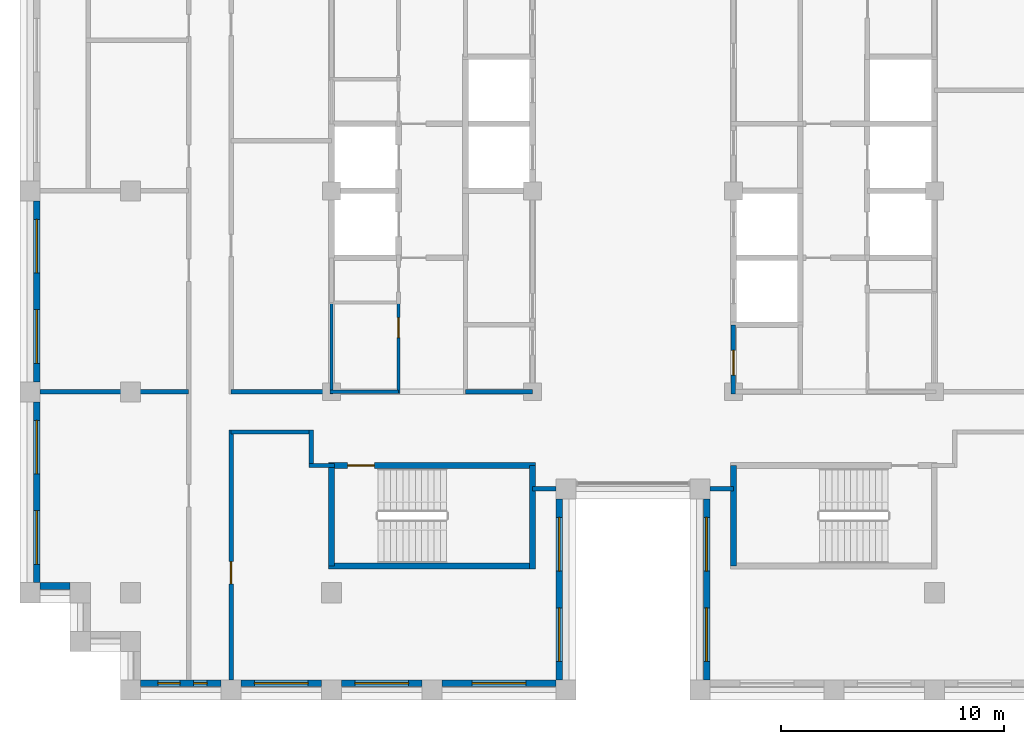
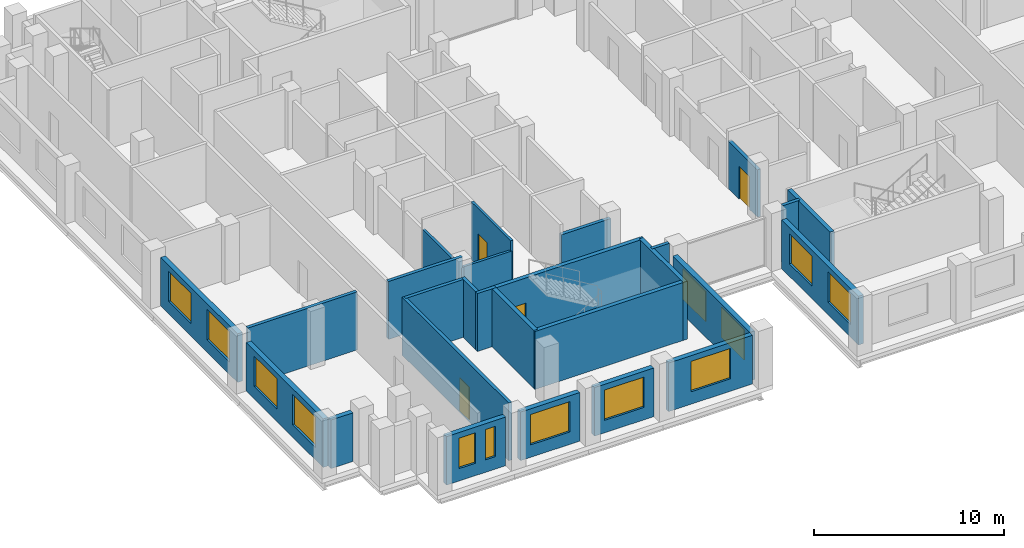
# One storey, part 6 of 13: 27 walls, 13 windows, 4 doors, 17 openings.
"""IFC4 building model written with IfcOpenShell, lengths in metres."""

from ifc_helpers import new_model, si_unit, direction, frame, frame_2d, origin, place, context, subcontext, project, spatial, rectangle, extrude, material, layer, layer_set, type_object, element, fill, save


model = new_model("IFC4")

# Units and contexts
model_context = context("Model", 3, precision=1e-05, world=origin(), true_north=direction((0.0, 1.0)))
body_context = subcontext(model_context, "Body", "Model", "MODEL_VIEW")
ifc_project = project(units=[si_unit("LENGTHUNIT", "METRE"), si_unit("AREAUNIT", "SQUARE_METRE"), si_unit("VOLUMEUNIT", "CUBIC_METRE"), si_unit("PLANEANGLEUNIT", "RADIAN"), si_unit("MASSUNIT", "GRAM", prefix="KILO")], contexts=[model_context])

# Site, building, storey
site_placement = place(None, origin())
site = spatial("IfcSite", under=ifc_project, at=site_placement, CompositionType="ELEMENT")
building_placement = place(site_placement, origin())
building = spatial("IfcBuilding", under=site, at=building_placement, Name="Corbelhall Arena Tower", CompositionType="ELEMENT")
storey_placement = place(building_placement, frame((0.0, 0.0, 250.0)))
storey = spatial("IfcBuildingStorey", under=building, at=storey_placement, Name="L53", CompositionType="ELEMENT", Elevation=250.0)

# Wall, openings, windows
ifc_material_1 = material(Name="Precast concrete C40/50 with granite facing", Category="masonry")
ifc_layer_1 = layer(ifc_material_1, 0.300048828125)
ifc_layer_set_1 = layer_set([ifc_layer_1], Name="EV-IW1 Infill panel 300")
wall_type_1 = type_object("IfcWallType", Name="EV-IW1 Infill panel 300", PredefinedType="SOLIDWALL", material=ifc_layer_set_1)
wall_1_placement = place(storey_placement, frame((-26.699951171875, -0.449951171875, 0.0), z_axis=(0.0, 0.0, 1.0), x_axis=(0.0, -1.0, 0.0)))
wall_1 = element("IfcWall", 1, at=wall_1_placement, inside=storey, type_object=wall_type_1, Name="Infill panel IW1", PredefinedType="SOLIDWALL", context=body_context, shape_type="SweptSolid", body=[
    extrude(rectangle(XDim=8.10009765625, YDim=0.300048828125, at=frame_2d((4.050048828125, 0.0))), origin(), (0.0, 0.0, 1.0), 3.1201171875),
])
opening_1_placement = place(wall_1_placement, frame((0.824951171875, 0.0, 0.800048828125)))
opening_1 = element("IfcOpeningElement", 2, at=opening_1_placement, cuts=wall_1, Name="Opening WN1", PredefinedType="OPENING", context=body_context, shape_type="SweptSolid", body=[
    extrude(rectangle(XDim=2.39990234375, YDim=1.949951171875, at=frame_2d((1.199951171875, 0.97509765625))), frame((0.0, 0.14990234375, 0.0), z_axis=(0.0, -1.0, 0.0), x_axis=(1.0, 0.0, 0.0)), (0.0, 0.0, 1.0), 0.300048828125),
])
opening_2_placement = place(wall_1_placement, frame((4.875, 0.0, 0.800048828125)))
opening_2 = element("IfcOpeningElement", 3, at=opening_2_placement, cuts=wall_1, Name="Opening WN1", PredefinedType="OPENING", context=body_context, shape_type="SweptSolid", body=[
    extrude(rectangle(XDim=2.39990234375, YDim=1.949951171875, at=frame_2d((1.199951171875, 0.97509765625))), frame((0.0, 0.14990234375, 0.0), z_axis=(0.0, -1.0, 0.0), x_axis=(1.0, 0.0, 0.0)), (0.0, 0.0, 1.0), 0.300048828125),
])
ifc_material_2 = material(Name="Aluminium black anodised", Category="aluminium")
window_type_1 = type_object("IfcWindowType", Name="EV-WN1 Office window", PartitioningType="SINGLE_PANEL", PredefinedType="WINDOW", material=ifc_material_2)
window_1_placement = place(opening_1_placement, origin())
window_1 = element("IfcWindow", 4, at=window_1_placement, inside=storey, type_object=window_type_1, Name="Window WN1", OverallHeight=1.949951171875, OverallWidth=2.39990234375, PartitioningType="SINGLE_PANEL", PredefinedType="WINDOW", context=body_context, shape_type="SweptSolid", body=[
    extrude(rectangle(XDim=2.39990234375, YDim=1.949951171875, at=frame_2d((1.199951171875, 0.97509765625))), frame((0.0, 0.030029296875, 0.0), z_axis=(0.0, -1.0, 0.0), x_axis=(1.0, 0.0, 0.0)), (0.0, 0.0, 1.0), 0.06005859375),
])
fill(opening_1, window_1)
window_2_placement = place(opening_2_placement, origin())
window_2 = element("IfcWindow", 5, at=window_2_placement, inside=storey, type_object=window_type_1, Name="Window WN1", OverallHeight=1.949951171875, OverallWidth=2.39990234375, PartitioningType="SINGLE_PANEL", PredefinedType="WINDOW", context=body_context, shape_type="SweptSolid", body=[
    extrude(rectangle(XDim=2.39990234375, YDim=1.949951171875, at=frame_2d((1.199951171875, 0.97509765625))), frame((0.0, 0.030029296875, 0.0), z_axis=(0.0, -1.0, 0.0), x_axis=(1.0, 0.0, 0.0)), (0.0, 0.0, 1.0), 0.06005859375),
])
fill(opening_2, window_2)

wall_2_placement = place(storey_placement, frame((-26.699951171875, -9.449951171875, 0.0), z_axis=(0.0, 0.0, 1.0), x_axis=(0.0, -1.0, 0.0)))
wall_2 = element("IfcWall", 6, at=wall_2_placement, inside=storey, type_object=wall_type_1, Name="Infill panel IW1", PredefinedType="SOLIDWALL", context=body_context, shape_type="SweptSolid", body=[
    extrude(rectangle(XDim=8.10009765625, YDim=0.300048828125, at=frame_2d((4.050048828125, 0.0))), origin(), (0.0, 0.0, 1.0), 3.1201171875),
])
opening_3_placement = place(wall_2_placement, frame((0.824951171875, 0.0, 0.800048828125)))
opening_3 = element("IfcOpeningElement", 7, at=opening_3_placement, cuts=wall_2, Name="Opening WN1", PredefinedType="OPENING", context=body_context, shape_type="SweptSolid", body=[
    extrude(rectangle(XDim=2.39990234375, YDim=1.949951171875, at=frame_2d((1.199951171875, 0.97509765625))), frame((0.0, 0.14990234375, 0.0), z_axis=(0.0, -1.0, 0.0), x_axis=(1.0, 0.0, 0.0)), (0.0, 0.0, 1.0), 0.300048828125),
])
opening_4_placement = place(wall_2_placement, frame((4.875, 0.0, 0.800048828125)))
opening_4 = element("IfcOpeningElement", 8, at=opening_4_placement, cuts=wall_2, Name="Opening WN1", PredefinedType="OPENING", context=body_context, shape_type="SweptSolid", body=[
    extrude(rectangle(XDim=2.39990234375, YDim=1.949951171875, at=frame_2d((1.199951171875, 0.97509765625))), frame((0.0, 0.14990234375, 0.0), z_axis=(0.0, -1.0, 0.0), x_axis=(1.0, 0.0, 0.0)), (0.0, 0.0, 1.0), 0.300048828125),
])
window_3_placement = place(opening_3_placement, origin())
window_3 = element("IfcWindow", 9, at=window_3_placement, inside=storey, type_object=window_type_1, Name="Window WN1", OverallHeight=1.949951171875, OverallWidth=2.39990234375, PartitioningType="SINGLE_PANEL", PredefinedType="WINDOW", context=body_context, shape_type="SweptSolid", body=[
    extrude(rectangle(XDim=2.39990234375, YDim=1.949951171875, at=frame_2d((1.199951171875, 0.97509765625))), frame((0.0, 0.030029296875, 0.0), z_axis=(0.0, -1.0, 0.0), x_axis=(1.0, 0.0, 0.0)), (0.0, 0.0, 1.0), 0.06005859375),
])
fill(opening_3, window_3)
window_4_placement = place(opening_4_placement, origin())
window_4 = element("IfcWindow", 10, at=window_4_placement, inside=storey, type_object=window_type_1, Name="Window WN1", OverallHeight=1.949951171875, OverallWidth=2.39990234375, PartitioningType="SINGLE_PANEL", PredefinedType="WINDOW", context=body_context, shape_type="SweptSolid", body=[
    extrude(rectangle(XDim=2.39990234375, YDim=1.949951171875, at=frame_2d((1.199951171875, 0.97509765625))), frame((0.0, 0.030029296875, 0.0), z_axis=(0.0, -1.0, 0.0), x_axis=(1.0, 0.0, 0.0)), (0.0, 0.0, 1.0), 0.06005859375),
])
fill(opening_4, window_4)

# Wall
wall_3_placement = place(storey_placement, frame((-26.550048828125, -17.699951171875, 0.0), z_axis=(0.0, 0.0, 1.0), x_axis=(1.0, 0.0, 0.0)))
element("IfcWall", 11, at=wall_3_placement, inside=storey, type_object=wall_type_1, Name="Infill panel IW1", PredefinedType="SOLIDWALL", context=body_context, shape_type="SweptSolid", body=[
    extrude(rectangle(XDim=1.35009765625, YDim=0.300048828125, at=frame_2d((0.675048828125, 0.0))), origin(), (0.0, 0.0, 1.0), 3.1201171875),
])

# Wall, openings, windows
wall_4_placement = place(storey_placement, frame((-22.050048828125, -22.050048828125, 0.0), z_axis=(0.0, 0.0, 1.0), x_axis=(1.0, 0.0, 0.0)))
wall_4 = element("IfcWall", 12, at=wall_4_placement, inside=storey, type_object=wall_type_1, Name="Infill panel IW1", PredefinedType="SOLIDWALL", context=body_context, shape_type="SweptSolid", body=[
    extrude(rectangle(XDim=3.60009765625, YDim=0.300048828125, at=frame_2d((1.800048828125, 0.0))), origin(), (0.0, 0.0, 1.0), 3.1201171875),
])
opening_5_placement = place(wall_4_placement, frame((0.77490234375, 0.0, 0.800048828125)))
opening_5 = element("IfcOpeningElement", 13, at=opening_5_placement, cuts=wall_4, Name="Opening WN6", PredefinedType="OPENING", context=body_context, shape_type="SweptSolid", body=[
    extrude(rectangle(XDim=1.0, YDim=1.949951171875, at=frame_2d((0.5, 0.97509765625))), frame((0.0, 0.14990234375, 0.0), z_axis=(0.0, -1.0, 0.0), x_axis=(1.0, 0.0, 0.0)), (0.0, 0.0, 1.0), 0.300048828125),
])
opening_6_placement = place(wall_4_placement, frame((2.375, 0.0, 0.800048828125)))
opening_6 = element("IfcOpeningElement", 14, at=opening_6_placement, cuts=wall_4, Name="Opening WN5", PredefinedType="OPENING", context=body_context, shape_type="SweptSolid", body=[
    extrude(rectangle(XDim=0.60009765625, YDim=1.949951171875, at=frame_2d((0.300048828125, 0.97509765625))), frame((0.0, 0.14990234375, 0.0), z_axis=(0.0, -1.0, 0.0), x_axis=(1.0, 0.0, 0.0)), (0.0, 0.0, 1.0), 0.300048828125),
])
window_type_2 = type_object("IfcWindowType", Name="EV-WN5 Office window 600", PartitioningType="SINGLE_PANEL", PredefinedType="WINDOW", material=ifc_material_2)
window_5_placement = place(opening_6_placement, origin())
window_5 = element("IfcWindow", 15, at=window_5_placement, inside=storey, type_object=window_type_2, Name="Window WN5", OverallHeight=1.949951171875, OverallWidth=0.60009765625, PartitioningType="SINGLE_PANEL", PredefinedType="WINDOW", context=body_context, shape_type="SweptSolid", body=[
    extrude(rectangle(XDim=0.60009765625, YDim=1.949951171875, at=frame_2d((0.300048828125, 0.97509765625))), frame((0.0, 0.030029296875, 0.0), z_axis=(0.0, -1.0, 0.0), x_axis=(1.0, 0.0, 0.0)), (0.0, 0.0, 1.0), 0.06005859375),
])
fill(opening_6, window_5)
window_type_3 = type_object("IfcWindowType", Name="EV-WN6 Office window 1000", PartitioningType="SINGLE_PANEL", PredefinedType="WINDOW", material=ifc_material_2)
window_6_placement = place(opening_5_placement, origin())
window_6 = element("IfcWindow", 16, at=window_6_placement, inside=storey, type_object=window_type_3, Name="Window WN6", OverallHeight=1.949951171875, OverallWidth=1.0, PartitioningType="SINGLE_PANEL", PredefinedType="WINDOW", context=body_context, shape_type="SweptSolid", body=[
    extrude(rectangle(XDim=1.0, YDim=1.949951171875, at=frame_2d((0.5, 0.97509765625))), frame((0.0, 0.030029296875, 0.0), z_axis=(0.0, -1.0, 0.0), x_axis=(1.0, 0.0, 0.0)), (0.0, 0.0, 1.0), 0.06005859375),
])
fill(opening_5, window_6)

# Wall, opening, window
wall_5_placement = place(storey_placement, frame((-17.550048828125, -22.050048828125, 0.0), z_axis=(0.0, 0.0, 1.0), x_axis=(1.0, 0.0, 0.0)))
wall_5 = element("IfcWall", 17, at=wall_5_placement, inside=storey, type_object=wall_type_1, Name="Infill panel IW1", PredefinedType="SOLIDWALL", context=body_context, shape_type="SweptSolid", body=[
    extrude(rectangle(XDim=3.60009765625, YDim=0.300048828125, at=frame_2d((1.800048828125, 0.0))), origin(), (0.0, 0.0, 1.0), 3.1201171875),
])
opening_7_placement = place(wall_5_placement, frame((0.60009765625, 0.0, 0.800048828125)))
opening_7 = element("IfcOpeningElement", 18, at=opening_7_placement, cuts=wall_5, Name="Opening WN1", PredefinedType="OPENING", context=body_context, shape_type="SweptSolid", body=[
    extrude(rectangle(XDim=2.39990234375, YDim=1.949951171875, at=frame_2d((1.199951171875, 0.97509765625))), frame((0.0, 0.14990234375, 0.0), z_axis=(0.0, -1.0, 0.0), x_axis=(1.0, 0.0, 0.0)), (0.0, 0.0, 1.0), 0.300048828125),
])
window_7_placement = place(opening_7_placement, origin())
window_7 = element("IfcWindow", 19, at=window_7_placement, inside=storey, type_object=window_type_1, Name="Window WN1", OverallHeight=1.949951171875, OverallWidth=2.39990234375, PartitioningType="SINGLE_PANEL", PredefinedType="WINDOW", context=body_context, shape_type="SweptSolid", body=[
    extrude(rectangle(XDim=2.39990234375, YDim=1.949951171875, at=frame_2d((1.199951171875, 0.97509765625))), frame((0.0, 0.030029296875, 0.0), z_axis=(0.0, -1.0, 0.0), x_axis=(1.0, 0.0, 0.0)), (0.0, 0.0, 1.0), 0.06005859375),
])
fill(opening_7, window_7)

wall_6_placement = place(storey_placement, frame((-13.050048828125, -22.050048828125, 0.0), z_axis=(0.0, 0.0, 1.0), x_axis=(1.0, 0.0, 0.0)))
wall_6 = element("IfcWall", 20, at=wall_6_placement, inside=storey, type_object=wall_type_1, Name="Infill panel IW1", PredefinedType="SOLIDWALL", context=body_context, shape_type="SweptSolid", body=[
    extrude(rectangle(XDim=3.60009765625, YDim=0.300048828125, at=frame_2d((1.800048828125, 0.0))), origin(), (0.0, 0.0, 1.0), 3.1201171875),
])
opening_8_placement = place(wall_6_placement, frame((0.60009765625, 0.0, 0.800048828125)))
opening_8 = element("IfcOpeningElement", 21, at=opening_8_placement, cuts=wall_6, Name="Opening WN1", PredefinedType="OPENING", context=body_context, shape_type="SweptSolid", body=[
    extrude(rectangle(XDim=2.39990234375, YDim=1.949951171875, at=frame_2d((1.199951171875, 0.97509765625))), frame((0.0, 0.14990234375, 0.0), z_axis=(0.0, -1.0, 0.0), x_axis=(1.0, 0.0, 0.0)), (0.0, 0.0, 1.0), 0.300048828125),
])
window_8_placement = place(opening_8_placement, origin())
window_8 = element("IfcWindow", 22, at=window_8_placement, inside=storey, type_object=window_type_1, Name="Window WN1", OverallHeight=1.949951171875, OverallWidth=2.39990234375, PartitioningType="SINGLE_PANEL", PredefinedType="WINDOW", context=body_context, shape_type="SweptSolid", body=[
    extrude(rectangle(XDim=2.39990234375, YDim=1.949951171875, at=frame_2d((1.199951171875, 0.97509765625))), frame((0.0, 0.030029296875, 0.0), z_axis=(0.0, -1.0, 0.0), x_axis=(1.0, 0.0, 0.0)), (0.0, 0.0, 1.0), 0.06005859375),
])
fill(opening_8, window_8)

wall_7_placement = place(storey_placement, frame((-8.550048828125, -22.050048828125, 0.0), z_axis=(0.0, 0.0, 1.0), x_axis=(1.0, 0.0, 0.0)))
wall_7 = element("IfcWall", 23, at=wall_7_placement, inside=storey, type_object=wall_type_1, Name="Infill panel IW1", PredefinedType="SOLIDWALL", context=body_context, shape_type="SweptSolid", body=[
    extrude(rectangle(XDim=5.10009765625, YDim=0.300048828125, at=frame_2d((2.550048828125, 0.0))), origin(), (0.0, 0.0, 1.0), 3.1201171875),
])
opening_9_placement = place(wall_7_placement, frame((1.35009765625, 0.0, 0.800048828125)))
opening_9 = element("IfcOpeningElement", 24, at=opening_9_placement, cuts=wall_7, Name="Opening WN1", PredefinedType="OPENING", context=body_context, shape_type="SweptSolid", body=[
    extrude(rectangle(XDim=2.39990234375, YDim=1.949951171875, at=frame_2d((1.199951171875, 0.97509765625))), frame((0.0, 0.14990234375, 0.0), z_axis=(0.0, -1.0, 0.0), x_axis=(1.0, 0.0, 0.0)), (0.0, 0.0, 1.0), 0.300048828125),
])
window_9_placement = place(opening_9_placement, origin())
window_9 = element("IfcWindow", 25, at=window_9_placement, inside=storey, type_object=window_type_1, Name="Window WN1", OverallHeight=1.949951171875, OverallWidth=2.39990234375, PartitioningType="SINGLE_PANEL", PredefinedType="WINDOW", context=body_context, shape_type="SweptSolid", body=[
    extrude(rectangle(XDim=2.39990234375, YDim=1.949951171875, at=frame_2d((1.199951171875, 0.97509765625))), frame((0.0, 0.030029296875, 0.0), z_axis=(0.0, -1.0, 0.0), x_axis=(1.0, 0.0, 0.0)), (0.0, 0.0, 1.0), 0.06005859375),
])
fill(opening_9, window_9)

# Wall, openings, windows
wall_8_placement = place(storey_placement, frame((-3.300048828125, -21.89990234375, 0.0), z_axis=(0.0, 0.0, 1.0), x_axis=(0.0, 1.0, 0.0)))
wall_8 = element("IfcWall", 26, at=wall_8_placement, inside=storey, type_object=wall_type_1, Name="Infill panel IW1", PredefinedType="SOLIDWALL", context=body_context, shape_type="SweptSolid", body=[
    extrude(rectangle(XDim=8.099853515625, YDim=0.300048828125, at=frame_2d((4.0498046875, 0.0))), origin(), (0.0, 0.0, 1.0), 3.1201171875),
])
opening_10_placement = place(wall_8_placement, frame((0.824951171875, 0.0, 0.800048828125)))
opening_10 = element("IfcOpeningElement", 27, at=opening_10_placement, cuts=wall_8, Name="Opening WN1", PredefinedType="OPENING", context=body_context, shape_type="SweptSolid", body=[
    extrude(rectangle(XDim=2.39990234375, YDim=1.949951171875, at=frame_2d((1.199951171875, 0.97509765625))), frame((0.0, 0.14990234375, 0.0), z_axis=(0.0, -1.0, 0.0), x_axis=(1.0, 0.0, 0.0)), (0.0, 0.0, 1.0), 0.300048828125),
])
opening_11_placement = place(wall_8_placement, frame((4.875, 0.0, 0.800048828125)))
opening_11 = element("IfcOpeningElement", 28, at=opening_11_placement, cuts=wall_8, Name="Opening WN1", PredefinedType="OPENING", context=body_context, shape_type="SweptSolid", body=[
    extrude(rectangle(XDim=2.39990234375, YDim=1.949951171875, at=frame_2d((1.199951171875, 0.97509765625))), frame((0.0, 0.14990234375, 0.0), z_axis=(0.0, -1.0, 0.0), x_axis=(1.0, 0.0, 0.0)), (0.0, 0.0, 1.0), 0.300048828125),
])
window_10_placement = place(opening_10_placement, origin())
window_10 = element("IfcWindow", 29, at=window_10_placement, inside=storey, type_object=window_type_1, Name="Window WN1", OverallHeight=1.949951171875, OverallWidth=2.39990234375, PartitioningType="SINGLE_PANEL", PredefinedType="WINDOW", context=body_context, shape_type="SweptSolid", body=[
    extrude(rectangle(XDim=2.39990234375, YDim=1.949951171875, at=frame_2d((1.199951171875, 0.97509765625))), frame((0.0, 0.030029296875, 0.0), z_axis=(0.0, -1.0, 0.0), x_axis=(1.0, 0.0, 0.0)), (0.0, 0.0, 1.0), 0.06005859375),
])
fill(opening_10, window_10)
window_11_placement = place(opening_11_placement, origin())
window_11 = element("IfcWindow", 30, at=window_11_placement, inside=storey, type_object=window_type_1, Name="Window WN1", OverallHeight=1.949951171875, OverallWidth=2.39990234375, PartitioningType="SINGLE_PANEL", PredefinedType="WINDOW", context=body_context, shape_type="SweptSolid", body=[
    extrude(rectangle(XDim=2.39990234375, YDim=1.949951171875, at=frame_2d((1.199951171875, 0.97509765625))), frame((0.0, 0.030029296875, 0.0), z_axis=(0.0, -1.0, 0.0), x_axis=(1.0, 0.0, 0.0)), (0.0, 0.0, 1.0), 0.06005859375),
])
fill(opening_11, window_11)

wall_9_placement = place(storey_placement, frame((3.300048828125, -13.800048828125, 0.0), z_axis=(0.0, 0.0, 1.0), x_axis=(0.0, -1.0, 0.0)))
wall_9 = element("IfcWall", 31, at=wall_9_placement, inside=storey, type_object=wall_type_1, Name="Infill panel IW1", PredefinedType="SOLIDWALL", context=body_context, shape_type="SweptSolid", body=[
    extrude(rectangle(XDim=8.099853515625, YDim=0.300048828125, at=frame_2d((4.0498046875, 0.0))), origin(), (0.0, 0.0, 1.0), 3.1201171875),
])
opening_12_placement = place(wall_9_placement, frame((0.824951171875, 0.0, 0.800048828125)))
opening_12 = element("IfcOpeningElement", 32, at=opening_12_placement, cuts=wall_9, Name="Opening WN1", PredefinedType="OPENING", context=body_context, shape_type="SweptSolid", body=[
    extrude(rectangle(XDim=2.39990234375, YDim=1.949951171875, at=frame_2d((1.199951171875, 0.97509765625))), frame((0.0, 0.14990234375, 0.0), z_axis=(0.0, -1.0, 0.0), x_axis=(1.0, 0.0, 0.0)), (0.0, 0.0, 1.0), 0.300048828125),
])
opening_13_placement = place(wall_9_placement, frame((4.875, 0.0, 0.800048828125)))
opening_13 = element("IfcOpeningElement", 33, at=opening_13_placement, cuts=wall_9, Name="Opening WN1", PredefinedType="OPENING", context=body_context, shape_type="SweptSolid", body=[
    extrude(rectangle(XDim=2.39990234375, YDim=1.949951171875, at=frame_2d((1.199951171875, 0.97509765625))), frame((0.0, 0.14990234375, 0.0), z_axis=(0.0, -1.0, 0.0), x_axis=(1.0, 0.0, 0.0)), (0.0, 0.0, 1.0), 0.300048828125),
])
window_12_placement = place(opening_12_placement, origin())
window_12 = element("IfcWindow", 34, at=window_12_placement, inside=storey, type_object=window_type_1, Name="Window WN1", OverallHeight=1.949951171875, OverallWidth=2.39990234375, PartitioningType="SINGLE_PANEL", PredefinedType="WINDOW", context=body_context, shape_type="SweptSolid", body=[
    extrude(rectangle(XDim=2.39990234375, YDim=1.949951171875, at=frame_2d((1.199951171875, 0.97509765625))), frame((0.0, 0.030029296875, 0.0), z_axis=(0.0, -1.0, 0.0), x_axis=(1.0, 0.0, 0.0)), (0.0, 0.0, 1.0), 0.06005859375),
])
fill(opening_12, window_12)
window_13_placement = place(opening_13_placement, origin())
window_13 = element("IfcWindow", 35, at=window_13_placement, inside=storey, type_object=window_type_1, Name="Window WN1", OverallHeight=1.949951171875, OverallWidth=2.39990234375, PartitioningType="SINGLE_PANEL", PredefinedType="WINDOW", context=body_context, shape_type="SweptSolid", body=[
    extrude(rectangle(XDim=2.39990234375, YDim=1.949951171875, at=frame_2d((1.199951171875, 0.97509765625))), frame((0.0, 0.030029296875, 0.0), z_axis=(0.0, -1.0, 0.0), x_axis=(1.0, 0.0, 0.0)), (0.0, 0.0, 1.0), 0.06005859375),
])
fill(opening_13, window_13)

# Wall
ifc_material_3 = material(Name="Gypsum board on steel stud, acoustic", Category="steel")
ifc_layer_2 = layer(ifc_material_3, 0.199951171875)
ifc_layer_set_2 = layer_set([ifc_layer_2], Name="IN-W-DM200")
wall_type_2 = type_object("IfcWallType", Name="IN-W-DM200", PredefinedType="PARTITIONING", material=ifc_layer_set_2)
wall_10_placement = place(storey_placement, frame((-26.550048828125, -9.0, 0.0), z_axis=(0.0, 0.0, 1.0), x_axis=(1.0, 0.0, 0.0)))
element("IfcWall", 36, at=wall_10_placement, inside=storey, type_object=wall_type_2, Name="Partition 001", PredefinedType="PARTITIONING", context=body_context, shape_type="SweptSolid", body=[
    extrude(rectangle(XDim=6.650146484375, YDim=0.199951171875, at=frame_2d((3.3251953125, 0.0))), origin(), (0.0, 0.0, 1.0), 3.719970703125),
])

# Wall, opening, door
wall_11_placement = place(storey_placement, frame((-18.0, -10.699951171875, 0.0), z_axis=(0.0, 0.0, 1.0), x_axis=(0.0, -1.0, 0.0)))
wall_11 = element("IfcWall", 37, at=wall_11_placement, inside=storey, type_object=wall_type_2, Name="Partition 008", PredefinedType="PARTITIONING", context=body_context, shape_type="SweptSolid", body=[
    extrude(rectangle(XDim=11.199951171875, YDim=0.199951171875, at=frame_2d((5.60009765625, 0.0))), origin(), (0.0, 0.0, 1.0), 3.719970703125),
])
opening_14_placement = place(wall_11_placement, frame((5.89990234375, 0.0, 0.0)))
opening_14 = element("IfcOpeningElement", 38, at=opening_14_placement, cuts=wall_11, Name="Opening 16027", PredefinedType="OPENING", context=body_context, shape_type="SweptSolid", body=[
    extrude(rectangle(XDim=1.0, YDim=2.10009765625, at=frame_2d((0.5, 1.050048828125))), frame((0.0, 0.10009765625, 0.0), z_axis=(0.0, -1.0, 0.0), x_axis=(1.0, 0.0, 0.0)), (0.0, 0.0, 1.0), 0.199951171875),
])
ifc_material_4 = material(Name="Steel door set", Category="steel")
door_type_1 = type_object("IfcDoorType", Name="IN-D-SW100", OperationType="NOTDEFINED", PredefinedType="DOOR", material=ifc_material_4)
door_1_placement = place(opening_14_placement, origin())
door_1 = element("IfcDoor", 39, at=door_1_placement, inside=storey, type_object=door_type_1, Name="Door 027", OperationType="SINGLE_SWING_RIGHT", OverallHeight=2.10009765625, OverallWidth=1.0, PredefinedType="DOOR", context=body_context, shape_type="SweptSolid", body=[
    extrude(rectangle(XDim=1.0, YDim=2.10009765625, at=frame_2d((0.5, 1.050048828125))), frame((0.0, 0.02490234375, 0.0), z_axis=(0.0, -1.0, 0.0), x_axis=(1.0, 0.0, 0.0)), (0.0, 0.0, 1.0), 0.050048828125),
])
fill(opening_14, door_1)

# Walls
wall_12_placement = place(storey_placement, frame((-18.0, -9.0, 0.0), z_axis=(0.0, 0.0, 1.0), x_axis=(1.0, 0.0, 0.0)))
element("IfcWall", 40, at=wall_12_placement, inside=storey, type_object=wall_type_2, Name="Partition 009", PredefinedType="PARTITIONING", context=body_context, shape_type="SweptSolid", body=[
    extrude(rectangle(XDim=4.5, YDim=0.199951171875, at=frame_2d((2.25, 0.0))), origin(), (0.0, 0.0, 1.0), 3.719970703125),
])
wall_13_placement = place(storey_placement, frame((-14.39990234375, -12.300048828125, 0.0), z_axis=(0.0, 0.0, 1.0), x_axis=(0.0, 1.0, 0.0)))
element("IfcWall", 41, at=wall_13_placement, inside=storey, type_object=wall_type_2, Name="Partition 017", PredefinedType="PARTITIONING", context=body_context, shape_type="SweptSolid", body=[
    extrude(rectangle(XDim=1.60009765625, YDim=0.199951171875, at=frame_2d((0.800048828125, 0.0))), origin(), (0.0, 0.0, 1.0), 3.719970703125),
])
wall_14_placement = place(storey_placement, frame((-14.39990234375, -10.800048828125, 0.0), z_axis=(0.0, 0.0, 1.0), x_axis=(-1.0, 0.0, 0.0)))
element("IfcWall", 42, at=wall_14_placement, inside=storey, type_object=wall_type_2, Name="Partition 018", PredefinedType="PARTITIONING", context=body_context, shape_type="SweptSolid", body=[
    extrude(rectangle(XDim=3.60009765625, YDim=0.199951171875, at=frame_2d((1.800048828125, 0.0))), origin(), (0.0, 0.0, 1.0), 3.719970703125),
])
wall_15_placement = place(storey_placement, frame((-13.375, -12.300048828125, 0.0), z_axis=(0.0, 0.0, 1.0), x_axis=(-1.0, 0.0, 0.0)))
element("IfcWall", 43, at=wall_15_placement, inside=storey, type_object=wall_type_2, Name="Partition 021", PredefinedType="PARTITIONING", context=body_context, shape_type="SweptSolid", body=[
    extrude(rectangle(XDim=1.125, YDim=0.199951171875, at=frame_2d((0.5625, 0.0))), origin(), (0.0, 0.0, 1.0), 3.719970703125),
])
for number, where, z_axis, x_axis, name in (
    (44, (-3.449951171875, -13.35009765625, 0.0), (0.0, 0.0, 1.0), (-1.0, 0.0, 0.0), "Partition 023"),
    (45, (4.5, -13.35009765625, 0.0), (0.0, 0.0, 1.0), (-1.0, 0.0, 0.0), "Partition 025"),
):
    element("IfcWall", number, at=place(storey_placement, frame(where, z_axis=z_axis, x_axis=x_axis)), inside=storey, type_object=wall_type_2, Name=name, PredefinedType="PARTITIONING", context=body_context, shape_type="SweptSolid", body=[
        extrude(rectangle(XDim=1.050048828125, YDim=0.199951171875, at=frame_2d((0.52490234375, 0.0))), origin(), (0.0, 0.0, 1.0), 3.719970703125),
    ])
ifc_material_5 = material(Name="Concrete block wall", Category="concrete")
ifc_layer_3 = layer(ifc_material_5, 0.199951171875)
ifc_layer_set_3 = layer_set([ifc_layer_3], Name="IN-W-RS200 under beam 678 mm")
wall_type_3 = type_object("IfcWallType", Name="IN-W-RS200 under beam 678 mm", PredefinedType="SOLIDWALL", material=ifc_layer_set_3)
wall_16_placement = place(storey_placement, frame((-4.5, -9.0, 0.0), z_axis=(0.0, 0.0, 1.0), x_axis=(-1.0, 0.0, 0.0)))
element("IfcWall", 46, at=wall_16_placement, inside=storey, type_object=wall_type_3, Name="Partition 053", PredefinedType="SOLIDWALL", context=body_context, shape_type="SweptSolid", body=[
    extrude(rectangle(XDim=3.0, YDim=0.199951171875, at=frame_2d((1.5, 0.0))), origin(), (0.0, 0.0, 1.0), 3.041748046875),
])

# Wall, opening, door
wall_17_placement = place(storey_placement, frame((4.5, -9.10009765625, 0.0), z_axis=(0.0, 0.0, 1.0), x_axis=(0.0, 1.0, 0.0)))
wall_17 = element("IfcWall", 47, at=wall_17_placement, inside=storey, type_object=wall_type_3, Name="Partition 057", PredefinedType="SOLIDWALL", context=body_context, shape_type="SweptSolid", body=[
    extrude(rectangle(XDim=3.10009765625, YDim=0.199951171875, at=frame_2d((1.550048828125, 0.0))), origin(), (0.0, 0.0, 1.0), 3.041748046875),
])
opening_15_placement = place(wall_17_placement, frame((0.85009765625, 0.0, 0.0)))
opening_15 = element("IfcOpeningElement", 48, at=opening_15_placement, cuts=wall_17, Name="Opening 16009", PredefinedType="OPENING", context=body_context, shape_type="SweptSolid", body=[
    extrude(rectangle(XDim=1.10009765625, YDim=2.10009765625, at=frame_2d((0.550048828125, 1.050048828125))), frame((0.0, 0.10009765625, 0.0), z_axis=(0.0, -1.0, 0.0), x_axis=(1.0, 0.0, 0.0)), (0.0, 0.0, 1.0), 0.199951171875),
])
door_type_2 = type_object("IfcDoorType", Name="IN-D-FD110", OperationType="NOTDEFINED", PredefinedType="DOOR", material=ifc_material_4)
door_2_placement = place(opening_15_placement, origin())
door_2 = element("IfcDoor", 49, at=door_2_placement, inside=storey, type_object=door_type_2, Name="Door 009", OperationType="SINGLE_SWING_RIGHT", OverallHeight=2.10009765625, OverallWidth=1.10009765625, PredefinedType="DOOR", context=body_context, shape_type="SweptSolid", body=[
    extrude(rectangle(XDim=1.10009765625, YDim=2.10009765625, at=frame_2d((0.550048828125, 1.050048828125))), frame((0.0, 0.02490234375, 0.0), z_axis=(0.0, -1.0, 0.0), x_axis=(1.0, 0.0, 0.0)), (0.0, 0.0, 1.0), 0.050048828125),
])
fill(opening_15, door_2)

# Walls
ifc_material_6 = material(Name="Concrete C40/50", Category="concrete")
ifc_layer_4 = layer(ifc_material_6, 0.25)
ifc_layer_set_4 = layer_set([ifc_layer_4], Name="IN-W-ST250")
wall_type_4 = type_object("IfcWallType", Name="IN-W-ST250", PredefinedType="SOLIDWALL", material=ifc_layer_set_4)
wall_18_placement = place(storey_placement, frame((-13.5, -16.800048828125, 0.0), z_axis=(0.0, 0.0, 1.0), x_axis=(0.0, 1.0, 0.0)))
element("IfcWall", 50, at=wall_18_placement, inside=storey, type_object=wall_type_4, Name="Shaft wall 089", PredefinedType="SOLIDWALL", context=body_context, shape_type="SweptSolid", body=[
    extrude(rectangle(XDim=4.5, YDim=0.25, at=frame_2d((2.25, 0.0))), origin(), (0.0, 0.0, 1.0), 3.719970703125),
])
wall_19_placement = place(storey_placement, frame((-4.5, -16.800048828125, 0.0), z_axis=(0.0, 0.0, 1.0), x_axis=(-1.0, 0.0, 0.0)))
element("IfcWall", 51, at=wall_19_placement, inside=storey, type_object=wall_type_4, Name="Shaft wall 091", PredefinedType="SOLIDWALL", context=body_context, shape_type="SweptSolid", body=[
    extrude(rectangle(XDim=9.125, YDim=0.25, at=frame_2d((4.5625, 0.0))), origin(), (0.0, 0.0, 1.0), 3.719970703125),
])
wall_20_placement = place(storey_placement, frame((-4.5, -12.300048828125, 0.0), z_axis=(0.0, 0.0, 1.0), x_axis=(0.0, -1.0, 0.0)))
element("IfcWall", 52, at=wall_20_placement, inside=storey, type_object=wall_type_4, Name="Shaft wall 092", PredefinedType="SOLIDWALL", context=body_context, shape_type="SweptSolid", body=[
    extrude(rectangle(XDim=4.625, YDim=0.25, at=frame_2d((2.3125, 0.0))), origin(), (0.0, 0.0, 1.0), 3.719970703125),
])

# Wall, opening, door
wall_21_placement = place(storey_placement, frame((-4.375, -12.300048828125, 0.0), z_axis=(0.0, 0.0, 1.0), x_axis=(-1.0, 0.0, 0.0)))
wall_21 = element("IfcWall", 53, at=wall_21_placement, inside=storey, type_object=wall_type_4, Name="Shaft wall 094", PredefinedType="SOLIDWALL", context=body_context, shape_type="SweptSolid", body=[
    extrude(rectangle(XDim=9.25, YDim=0.25, at=frame_2d((4.625, 0.0))), origin(), (0.0, 0.0, 1.0), 3.719970703125),
])
opening_16_placement = place(wall_21_placement, frame((7.199951171875, 0.0, 0.0)))
opening_16 = element("IfcOpeningElement", 54, at=opening_16_placement, cuts=wall_21, Name="Opening 16018", PredefinedType="OPENING", context=body_context, shape_type="SweptSolid", body=[
    extrude(rectangle(XDim=1.199951171875, YDim=2.10009765625, at=frame_2d((0.60009765625, 1.050048828125))), frame((0.0, 0.125, 0.0), z_axis=(0.0, -1.0, 0.0), x_axis=(1.0, 0.0, 0.0)), (0.0, 0.0, 1.0), 0.25),
])
door_type_3 = type_object("IfcDoorType", Name="IN-D-ST120", OperationType="NOTDEFINED", PredefinedType="DOOR", material=ifc_material_4)
door_3_placement = place(opening_16_placement, origin())
door_3 = element("IfcDoor", 55, at=door_3_placement, inside=storey, type_object=door_type_3, Name="Door 018", OperationType="SINGLE_SWING_LEFT", OverallHeight=2.10009765625, OverallWidth=1.199951171875, PredefinedType="DOOR", context=body_context, shape_type="SweptSolid", body=[
    extrude(rectangle(XDim=1.199951171875, YDim=2.10009765625, at=frame_2d((0.60009765625, 1.050048828125))), frame((0.0, 0.02490234375, 0.0), z_axis=(0.0, -1.0, 0.0), x_axis=(1.0, 0.0, 0.0)), (0.0, 0.0, 1.0), 0.050048828125),
])
fill(opening_16, door_3)

# Wall
wall_22_placement = place(storey_placement, frame((4.5, -16.800048828125, 0.0), z_axis=(0.0, 0.0, 1.0), x_axis=(0.0, 1.0, 0.0)))
element("IfcWall", 56, at=wall_22_placement, inside=storey, type_object=wall_type_4, Name="Shaft wall 097", PredefinedType="SOLIDWALL", context=body_context, shape_type="SweptSolid", body=[
    extrude(rectangle(XDim=4.5, YDim=0.25, at=frame_2d((2.25, 0.0))), origin(), (0.0, 0.0, 1.0), 3.719970703125),
])

# Wall, opening, door
ifc_material_7 = material(Name="Gypsum board on steel stud, moisture resistant", Category="steel")
ifc_layer_5 = layer(ifc_material_7, 0.14990234375)
ifc_layer_set_5 = layer_set([ifc_layer_5], Name="IN-W-WC150")
wall_type_5 = type_object("IfcWallType", Name="IN-W-WC150", PredefinedType="PARTITIONING", material=ifc_layer_set_5)
wall_23_placement = place(storey_placement, frame((-10.5, -9.074951171875, 0.0), z_axis=(0.0, 0.0, 1.0), x_axis=(0.0, 1.0, 0.0)))
wall_23 = element("IfcWall", 57, at=wall_23_placement, inside=storey, type_object=wall_type_5, Name="Partition 107", PredefinedType="PARTITIONING", context=body_context, shape_type="SweptSolid", body=[
    extrude(rectangle(XDim=4.14990234375, YDim=0.14990234375, at=frame_2d((2.074951171875, 0.0))), origin(), (0.0, 0.0, 1.0), 3.719970703125),
])
opening_17_placement = place(wall_23_placement, frame((2.5, 0.0, 0.0)))
opening_17 = element("IfcOpeningElement", 58, at=opening_17_placement, cuts=wall_23, Name="Opening 16006", PredefinedType="OPENING", context=body_context, shape_type="SweptSolid", body=[
    extrude(rectangle(XDim=0.89990234375, YDim=2.10009765625, at=frame_2d((0.449951171875, 1.050048828125))), frame((0.0, 0.074951171875, 0.0), z_axis=(0.0, -1.0, 0.0), x_axis=(1.0, 0.0, 0.0)), (0.0, 0.0, 1.0), 0.14990234375),
])
ifc_material_8 = material(Name="Timber door set", Category="wood")
door_type_4 = type_object("IfcDoorType", Name="IN-D-SW90", OperationType="NOTDEFINED", PredefinedType="DOOR", material=ifc_material_8)
door_4_placement = place(opening_17_placement, origin())
door_4 = element("IfcDoor", 59, at=door_4_placement, inside=storey, type_object=door_type_4, Name="Door 006", OperationType="SINGLE_SWING_LEFT", OverallHeight=2.10009765625, OverallWidth=0.89990234375, PredefinedType="DOOR", context=body_context, shape_type="SweptSolid", body=[
    extrude(rectangle(XDim=0.89990234375, YDim=2.10009765625, at=frame_2d((0.449951171875, 1.050048828125))), frame((0.0, 0.02490234375, 0.0), z_axis=(0.0, -1.0, 0.0), x_axis=(1.0, 0.0, 0.0)), (0.0, 0.0, 1.0), 0.050048828125),
])
fill(opening_17, door_4)

# Walls
ifc_layer_6 = layer(ifc_material_7, 0.14990234375)
ifc_layer_set_6 = layer_set([ifc_layer_6], Name="IN-W-WC150 under beam 678 mm")
wall_type_6 = type_object("IfcWallType", Name="IN-W-WC150 under beam 678 mm", PredefinedType="PARTITIONING", material=ifc_layer_set_6)
wall_24_placement = place(storey_placement, frame((-13.5, -9.10009765625, 0.0), z_axis=(0.0, 0.0, 1.0), x_axis=(0.0, 1.0, 0.0)))
element("IfcWall", 60, at=wall_24_placement, inside=storey, type_object=wall_type_6, Name="Partition 105", PredefinedType="PARTITIONING", context=body_context, shape_type="SweptSolid", body=[
    extrude(rectangle(XDim=4.10009765625, YDim=0.14990234375, at=frame_2d((2.050048828125, 0.0))), origin(), (0.0, 0.0, 1.0), 3.041748046875),
])
wall_25_placement = place(storey_placement, frame((-10.5, -9.0, 0.0), z_axis=(0.0, 0.0, 1.0), x_axis=(-1.0, 0.0, 0.0)))
element("IfcWall", 61, at=wall_25_placement, inside=storey, type_object=wall_type_6, Name="Partition 108", PredefinedType="PARTITIONING", context=body_context, shape_type="SweptSolid", body=[
    extrude(rectangle(XDim=3.074951171875, YDim=0.14990234375, at=frame_2d((1.53759765625, 0.0))), origin(), (0.0, 0.0, 1.0), 3.041748046875),
])

save(model, "model.ifc")
